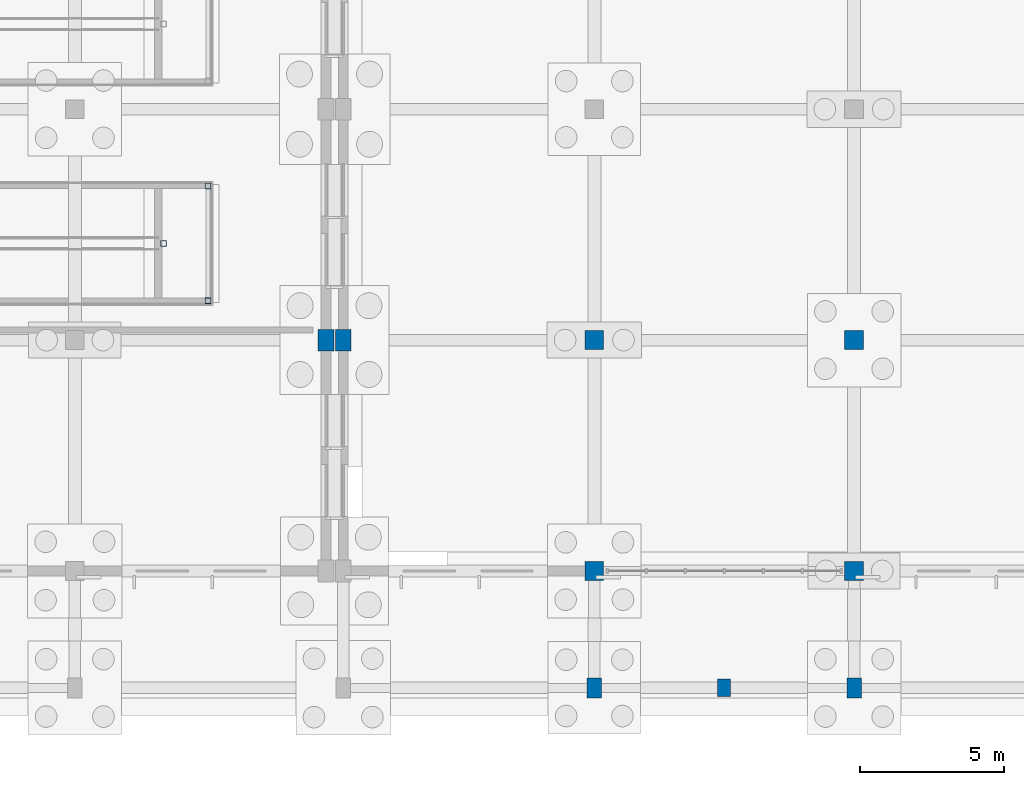
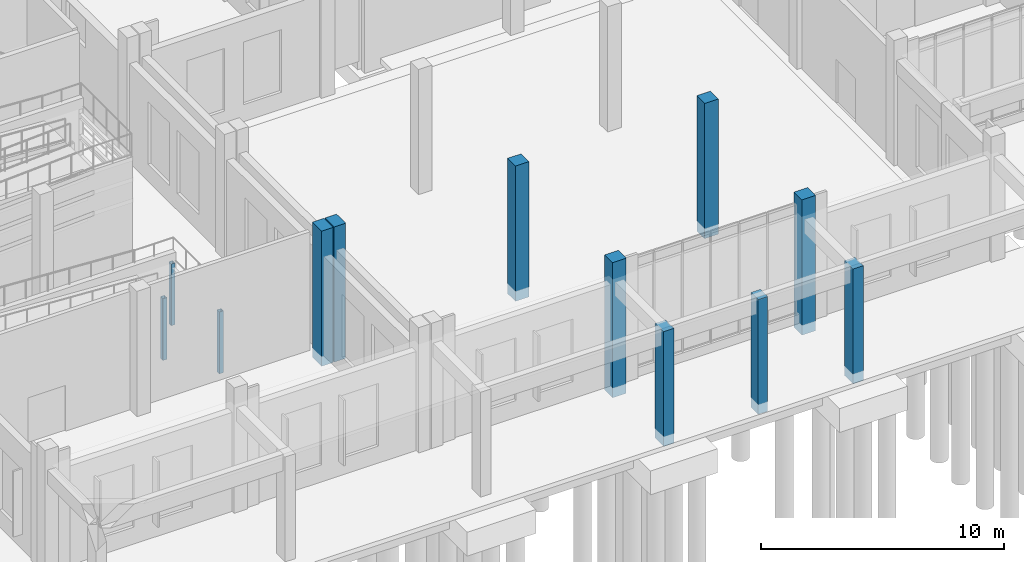
# One storey, part 27 of 99: 12 columns.
"""IFC4 building model written with IfcOpenShell, lengths in metres."""

from ifc_helpers import new_model, si_unit, direction, frame, origin, origin_2d, place, context, subcontext, project, spatial, rectangle, hollow_rectangle, extrude, material, material_profile, profile_set, type_object, element, save


model = new_model("IFC4")

# Units and contexts
model_context = context("Model", 3, precision=1e-05, world=origin(), true_north=direction((0.0, 1.0)))
body_context = subcontext(model_context, "Body", "Model", "MODEL_VIEW")
ifc_project = project(units=[si_unit("LENGTHUNIT", "METRE"), si_unit("AREAUNIT", "SQUARE_METRE"), si_unit("VOLUMEUNIT", "CUBIC_METRE"), si_unit("PLANEANGLEUNIT", "RADIAN"), si_unit("MASSUNIT", "GRAM", prefix="KILO")], contexts=[model_context])

# Site, building, storey
site_placement = place(None, origin())
site = spatial("IfcSite", under=ifc_project, at=site_placement, CompositionType="ELEMENT")
building_placement = place(site_placement, origin())
building = spatial("IfcBuilding", under=site, at=building_placement, Name="Zacnel Wholesale Market", CompositionType="ELEMENT")
storey_placement = place(building_placement, origin())
storey = spatial("IfcBuildingStorey", under=building, at=storey_placement, Name="L01", CompositionType="ELEMENT", Elevation=0.0)

# Columns
ifc_material_1 = material(Name="Precast concrete C45/55", Category="concrete")
ifc_material_profile_1 = material_profile(ifc_material_1, rectangle(XDim=0.550048828125, YDim=0.75, at=origin_2d()), Name="PC 550x750")
ifc_profile_set_1 = profile_set([ifc_material_profile_1], Name="Precast concrete C45/55")
column_type_1 = type_object("IfcColumnType", Name="COL-MJ550X750", PredefinedType="COLUMN", material=ifc_profile_set_1)
for number, where, z_axis, x_axis, name in (
    (1, (71.699951171875, 8.0, -0.5), (0.0, 0.0, 1.0), (1.0, 0.0, 0.0), "Precast column L01-0128"),
    (2, (72.300048828125, 8.0, -0.5), (0.0, 0.0, 1.0), (1.0, 0.0, 0.0), "Precast column L01-0146"),
):
    element("IfcColumn", number, at=place(storey_placement, frame(where, z_axis=z_axis, x_axis=x_axis)), inside=storey, type_object=column_type_1, Name=name, PredefinedType="COLUMN", context=body_context, shape_type="SweptSolid", body=[
        extrude(rectangle(XDim=0.550048828125, YDim=0.75, at=origin_2d()), origin(), (0.0, 0.0, 1.0), 6.800048828125),
    ])
ifc_material_2 = material(Name="Precast concrete C45/55", Category="concrete")
ifc_material_profile_2 = material_profile(ifc_material_2, rectangle(XDim=0.64990234375, YDim=0.64990234375, at=origin_2d()), Name="PC 650x650")
ifc_profile_set_2 = profile_set([ifc_material_profile_2], Name="Precast concrete C45/55")
column_type_2 = type_object("IfcColumnType", Name="COL-PC650", PredefinedType="COLUMN", material=ifc_profile_set_2)
for number, where, z_axis, x_axis, name in (
    (3, (81.0, 0.0, -0.5), (0.0, 0.0, 1.0), (1.0, 0.0, 0.0), "Precast column L01-0152"),
    (4, (81.0, 8.0, -0.5), (0.0, 0.0, 1.0), (1.0, 0.0, 0.0), "Precast column L01-0153"),
    (5, (90.0, 0.0, -0.5), (0.0, 0.0, 1.0), (1.0, 0.0, 0.0), "Precast column L01-0164"),
    (6, (90.0, 8.0, -0.5), (0.0, 0.0, 1.0), (1.0, 0.0, 0.0), "Precast column L01-0165"),
):
    element("IfcColumn", number, at=place(storey_placement, frame(where, z_axis=z_axis, x_axis=x_axis)), inside=storey, type_object=column_type_2, Name=name, PredefinedType="COLUMN", context=body_context, shape_type="SweptSolid", body=[
        extrude(rectangle(XDim=0.64990234375, YDim=0.64990234375, at=origin_2d()), origin(), (0.0, 0.0, 1.0), 6.800048828125),
    ])
ifc_material_3 = material(Name="Steel S355", Category="steel")
ifc_material_profile_3 = material_profile(ifc_material_3, hollow_rectangle(XDim=0.199951171875, YDim=0.199951171875, WallThickness=0.010009765625, InnerFilletRadius=0.010009765625, OuterFilletRadius=0.02001953125, at=origin_2d()), Name="HSS 200x200x10")
ifc_profile_set_3 = profile_set([ifc_material_profile_3], Name="Steel S355")
column_type_3 = type_object("IfcColumnType", Name="COL-STL-HSS200", PredefinedType="COLUMN", material=ifc_profile_set_3)
for number, where, z_axis, x_axis, name in (
    (7, (67.612060546875, 9.360107421875, -0.5), (0.0, 0.0, 1.0), (1.0, 0.0, 0.0), "Accessible ramp RP-03 (RMP-PROM-1A) support column 4"),
    (8, (66.072021484375, 11.35009765625, -0.5), (0.0, 0.0, 1.0), (1.0, 0.0, 0.0), "Accessible ramp RP-03 (RMP-PROM-1A) support column 5"),
    (9, (67.612060546875, 13.340087890625, -0.5), (0.0, 0.0, 1.0), (1.0, 0.0, 0.0), "Accessible ramp RP-03 (RMP-PROM-1A) support column 6"),
):
    element("IfcColumn", number, at=place(storey_placement, frame(where, z_axis=z_axis, x_axis=x_axis)), inside=storey, type_object=column_type_3, Name=name, PredefinedType="COLUMN", context=body_context, shape_type="SweptSolid", body=[
        extrude(hollow_rectangle(XDim=0.199951171875, YDim=0.199951171875, WallThickness=0.010009765625, InnerFilletRadius=0.010009765625, OuterFilletRadius=0.02001953125, at=origin_2d()), origin(), (0.0, 0.0, 1.0), 3.10498046875),
    ])
ifc_material_4 = material(Name="Precast concrete C45/55", Category="concrete")
ifc_material_profile_4 = material_profile(ifc_material_4, rectangle(XDim=0.449951171875, YDim=0.60009765625, at=origin_2d()), Name="PIL 450x600")
ifc_profile_set_4 = profile_set([ifc_material_profile_4], Name="Precast concrete C45/55")
column_type_4 = type_object("IfcColumnType", Name="PIL-DEC450X600", PredefinedType="PILASTER", material=ifc_profile_set_4)
column_placement = place(storey_placement, frame((85.5, -4.050048828125, -0.5), z_axis=(0.0, 0.0, 1.0), x_axis=(1.0, 0.0, 0.0)))
element("IfcColumn", 10, at=column_placement, inside=storey, type_object=column_type_4, Name="Mayan-Deco colonnade pilaster 11", PredefinedType="PILASTER", context=body_context, shape_type="SweptSolid", body=[
    extrude(rectangle(XDim=0.449951171875, YDim=0.60009765625, at=origin_2d()), origin(), (0.0, 0.0, 1.0), 5.77001953125),
])
ifc_material_5 = material(Name="Precast concrete C45/55", Category="concrete")
ifc_material_profile_5 = material_profile(ifc_material_5, rectangle(XDim=0.5, YDim=0.699951171875, at=origin_2d()), Name="PIL 500x700")
ifc_profile_set_5 = profile_set([ifc_material_profile_5], Name="Precast concrete C45/55")
column_type_5 = type_object("IfcColumnType", Name="PIL-DEC500X700", PredefinedType="PILASTER", material=ifc_profile_set_5)
for number, where, z_axis, x_axis, name in (
    (11, (81.0, -4.050048828125, -0.5), (0.0, 0.0, 1.0), (1.0, 0.0, 0.0), "Mayan-Deco colonnade pilaster 04"),
    (12, (90.0, -4.050048828125, -0.5), (0.0, 0.0, 1.0), (1.0, 0.0, 0.0), "Mayan-Deco colonnade pilaster 05"),
):
    element("IfcColumn", number, at=place(storey_placement, frame(where, z_axis=z_axis, x_axis=x_axis)), inside=storey, type_object=column_type_5, Name=name, PredefinedType="PILASTER", context=body_context, shape_type="SweptSolid", body=[
        extrude(rectangle(XDim=0.5, YDim=0.699951171875, at=origin_2d()), origin(), (0.0, 0.0, 1.0), 5.77001953125),
    ])

save(model, "model.ifc")
